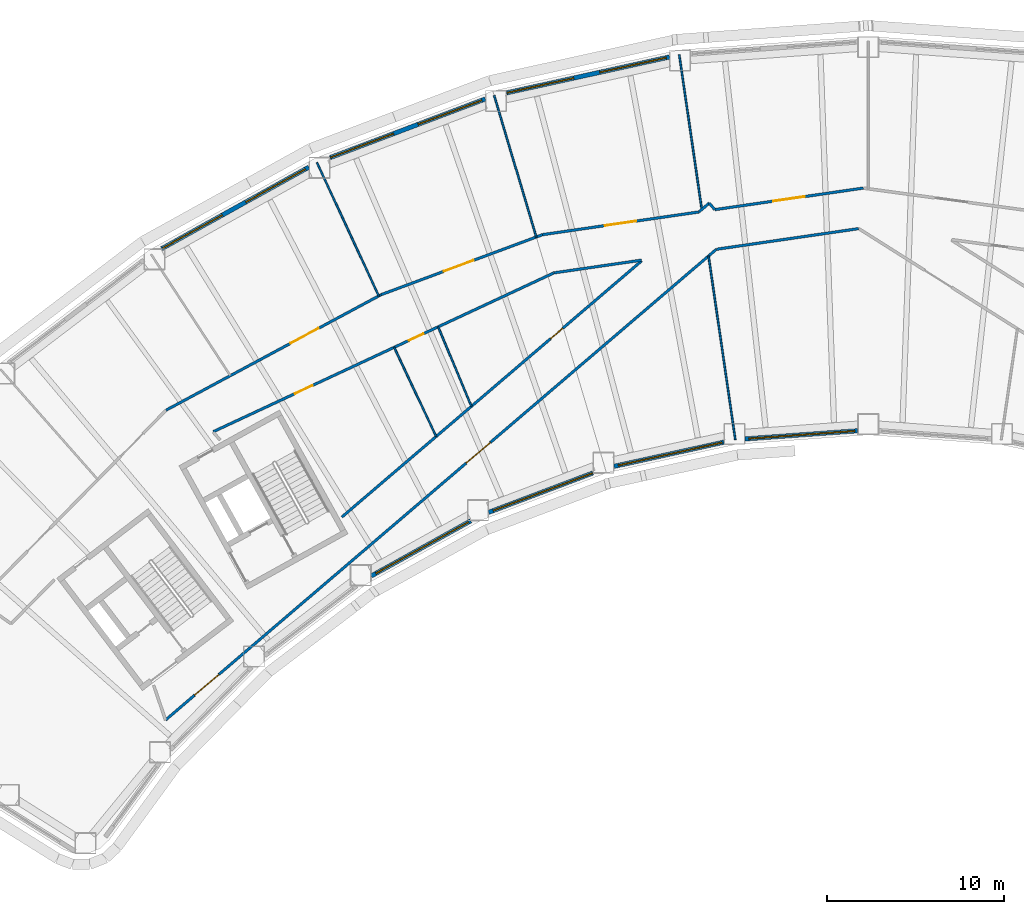
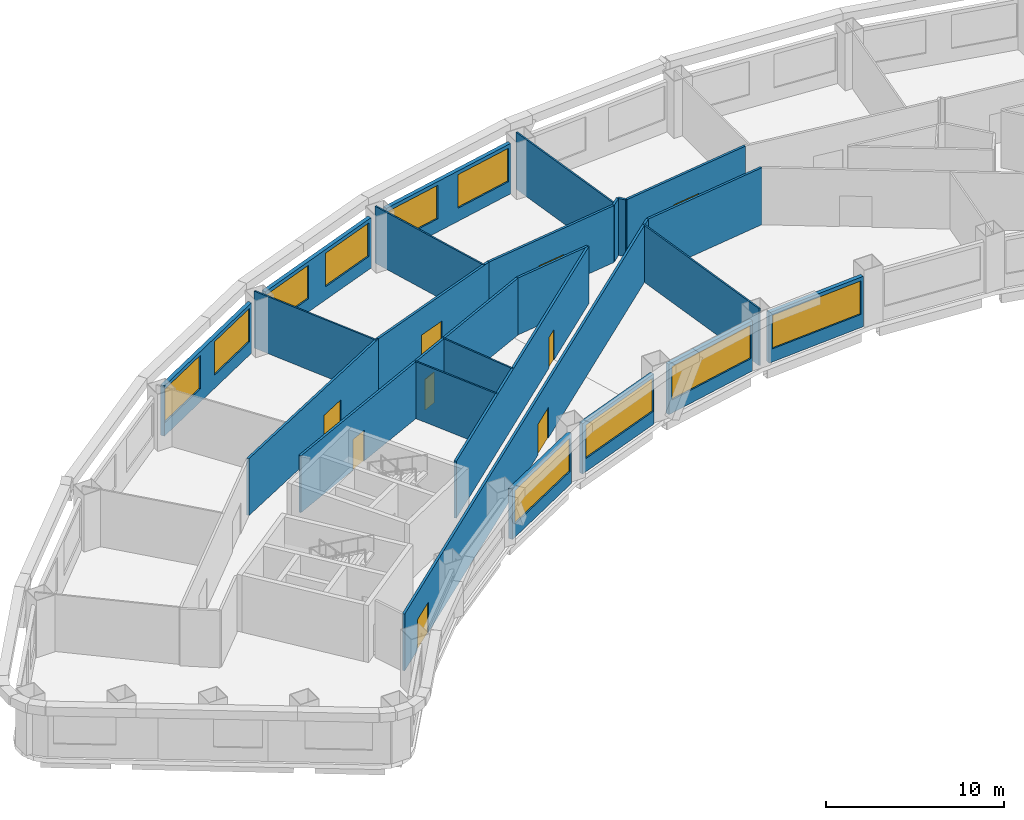
# One storey, part 4 of 10: 24 walls, 10 windows, 9 doors, 19 openings.
"""IFC4 building model written with IfcOpenShell, lengths in metres."""

from ifc_helpers import new_model, si_unit, direction, frame, frame_2d, origin, place, context, subcontext, project, spatial, rectangle, extrude, material, layer, layer_set, type_object, element, fill, save


model = new_model("IFC4")

# Units and contexts
model_context = context("Model", 3, precision=1e-05, world=origin(), true_north=direction((0.0, 1.0)))
body_context = subcontext(model_context, "Body", "Model", "MODEL_VIEW")
ifc_project = project(units=[si_unit("LENGTHUNIT", "METRE"), si_unit("AREAUNIT", "SQUARE_METRE"), si_unit("VOLUMEUNIT", "CUBIC_METRE"), si_unit("PLANEANGLEUNIT", "RADIAN"), si_unit("MASSUNIT", "GRAM", prefix="KILO")], contexts=[model_context])

# Site, building, storey
site_placement = place(None, origin())
site = spatial("IfcSite", under=ifc_project, at=site_placement, CompositionType="ELEMENT")
building_placement = place(site_placement, origin())
building = spatial("IfcBuilding", under=site, at=building_placement, Name="Tuul Gate Civic Tower", CompositionType="ELEMENT")
storey_placement = place(building_placement, frame((0.0, 0.0, 86.39990234375)))
storey = spatial("IfcBuildingStorey", under=building, at=storey_placement, Name="Level 19", CompositionType="ELEMENT", Elevation=86.39990234375)

# Wall, opening, door
ifc_material_1 = material(Name="Gypsum board partition")
ifc_layer_1 = layer(ifc_material_1, 0.14990234375)
ifc_layer_set_1 = layer_set([ifc_layer_1], Name="Gypsum board partition")
wall_type_1 = type_object("IfcWallType", Name="Corridor wall P150", PredefinedType="PARTITIONING", material=ifc_layer_set_1)
wall_1_placement = place(storey_placement, frame((-13.622314453125, 8.079833984375, 0.0), z_axis=(0.0, 0.0, 1.0), x_axis=(0.989618205953, 0.143721280421, 0.0)))
wall_1 = element("IfcWall", 1, at=wall_1_placement, inside=storey, type_object=wall_type_1, Name="p021", PredefinedType="PARTITIONING", context=body_context, shape_type="SweptSolid", body=[
    extrude(rectangle(XDim=8.93017578125, YDim=0.14990234375, at=frame_2d((4.465087890625, 0.0))), origin(), (0.0, 0.0, 1.0), 3.900146484375),
])
opening_1_placement = place(wall_1_placement, frame((3.56494140625, 0.0, 0.0)))
opening_1 = element("IfcOpeningElement", 2, at=opening_1_placement, cuts=wall_1, Name="Opening F-D07", PredefinedType="OPENING", context=body_context, shape_type="SweptSolid", body=[
    extrude(rectangle(XDim=1.800048828125, YDim=2.10009765625, at=frame_2d((0.89990234375, 1.050048828125))), frame((0.0, 0.0849609375, 0.0), z_axis=(0.0, -1.0, 0.0), x_axis=(1.0, 0.0, 0.0)), (0.0, 0.0, 1.0), 0.169921875),
])
ifc_material_2 = material(Name="Timber door leaf, double", Category="wood")
door_type_1 = type_object("IfcDoorType", Name="Door D18", OperationType="DOUBLE_DOOR_SINGLE_SWING", PredefinedType="DOOR", material=ifc_material_2)
door_1_placement = place(opening_1_placement, origin())
door_1 = element("IfcDoor", 3, at=door_1_placement, inside=storey, type_object=door_type_1, Name="Door F-D07", OperationType="DOUBLE_DOOR_SINGLE_SWING", OverallHeight=2.10009765625, OverallWidth=1.800048828125, PredefinedType="DOOR", context=body_context, shape_type="SweptSolid", body=[
    extrude(rectangle(XDim=1.800048828125, YDim=2.10009765625, at=frame_2d((0.89990234375, 1.050048828125))), frame((0.0, 0.02490234375, 0.0), z_axis=(0.0, -1.0, 0.0), x_axis=(1.0, 0.0, 0.0)), (0.0, 0.0, 1.0), 0.050048828125),
])
fill(opening_1, door_1)

wall_2_placement = place(storey_placement, frame((-3.867919921875, 9.49658203125, 0.0), z_axis=(0.0, 0.0, 1.0), x_axis=(0.98961974626, 0.143710673967, 0.0)))
wall_2 = element("IfcWall", 4, at=wall_2_placement, inside=storey, type_object=wall_type_1, Name="p022", PredefinedType="PARTITIONING", context=body_context, shape_type="SweptSolid", body=[
    extrude(rectangle(XDim=8.47900390625, YDim=0.14990234375, at=frame_2d((4.239501953125, 0.0))), origin(), (0.0, 0.0, 1.0), 3.900146484375),
])
opening_2_placement = place(wall_2_placement, frame((3.33935546875, 0.0, 0.0)))
opening_2 = element("IfcOpeningElement", 5, at=opening_2_placement, cuts=wall_2, Name="Opening F-D06", PredefinedType="OPENING", context=body_context, shape_type="SweptSolid", body=[
    extrude(rectangle(XDim=1.800048828125, YDim=2.10009765625, at=frame_2d((0.89990234375, 1.050048828125))), frame((0.0, 0.0849609375, 0.0), z_axis=(0.0, -1.0, 0.0), x_axis=(1.0, 0.0, 0.0)), (0.0, 0.0, 1.0), 0.169921875),
])
door_2_placement = place(opening_2_placement, origin())
door_2 = element("IfcDoor", 6, at=door_2_placement, inside=storey, type_object=door_type_1, Name="Door F-D06", OperationType="DOUBLE_DOOR_SINGLE_SWING", OverallHeight=2.10009765625, OverallWidth=1.800048828125, PredefinedType="DOOR", context=body_context, shape_type="SweptSolid", body=[
    extrude(rectangle(XDim=1.800048828125, YDim=2.10009765625, at=frame_2d((0.89990234375, 1.050048828125))), frame((0.0, 0.02490234375, 0.0), z_axis=(0.0, -1.0, 0.0), x_axis=(1.0, 0.0, 0.0)), (0.0, 0.0, 1.0), 0.050048828125),
])
fill(opening_2, door_2)

# Wall
wall_3_placement = place(storey_placement, frame((-4.19384765625, 9.86376953125, 0.0), z_axis=(0.0, 0.0, 1.0), x_axis=(0.649560302812, -0.760310076884, 0.0)))
element("IfcWall", 7, at=wall_3_placement, inside=storey, type_object=wall_type_1, Name="p023", PredefinedType="PARTITIONING", context=body_context, shape_type="SweptSolid", body=[
    extrude(rectangle(XDim=0.473876953125, YDim=0.14990234375, at=frame_2d((0.23681640625, 0.0))), origin(), (0.0, 0.0, 1.0), 3.900146484375),
])

# Wall, opening, door
wall_4_placement = place(storey_placement, frame((-24.98876953125, -7.906494140625, 0.0), z_axis=(0.0, 0.0, 1.0), x_axis=(0.760220451321, 0.649665194845, 0.0)))
wall_4 = element("IfcWall", 8, at=wall_4_placement, inside=storey, type_object=wall_type_1, Name="p024", PredefinedType="PARTITIONING", context=body_context, shape_type="SweptSolid", body=[
    extrude(rectangle(XDim=22.33056640625, YDim=0.14990234375, at=frame_2d((11.165283203125, 0.0))), origin(), (0.0, 0.0, 1.0), 3.900146484375),
])
opening_3_placement = place(wall_4_placement, frame((15.542236328125, 0.0, 0.0)))
opening_3 = element("IfcOpeningElement", 9, at=opening_3_placement, cuts=wall_4, Name="Opening F-D20", PredefinedType="OPENING", context=body_context, shape_type="SweptSolid", body=[
    extrude(rectangle(XDim=0.89990234375, YDim=2.10009765625, at=frame_2d((0.449951171875, 1.050048828125))), frame((0.0, 0.0849609375, 0.0), z_axis=(0.0, -1.0, 0.0), x_axis=(1.0, 0.0, 0.0)), (0.0, 0.0, 1.0), 0.169921875),
])
ifc_material_3 = material(Name="Timber door leaf", Category="wood")
door_type_2 = type_object("IfcDoorType", Name="Door D09", OperationType="NOTDEFINED", PredefinedType="DOOR", material=ifc_material_3)
door_3_placement = place(opening_3_placement, origin())
door_3 = element("IfcDoor", 10, at=door_3_placement, inside=storey, type_object=door_type_2, Name="Door F-D20", OperationType="SINGLE_SWING_RIGHT", OverallHeight=2.10009765625, OverallWidth=0.89990234375, PredefinedType="DOOR", context=body_context, shape_type="SweptSolid", body=[
    extrude(rectangle(XDim=0.89990234375, YDim=2.10009765625, at=frame_2d((0.449951171875, 1.050048828125))), frame((0.0, 0.02490234375, 0.0), z_axis=(0.0, -1.0, 0.0), x_axis=(1.0, 0.0, 0.0)), (0.0, 0.0, 1.0), 0.050048828125),
])
fill(opening_3, door_3)

# Wall
wall_5_placement = place(storey_placement, frame((-4.77490234375, 9.367919921875, 0.0), z_axis=(0.0, 0.0, 1.0), x_axis=(0.760271655503, 0.649605272329, 0.0)))
element("IfcWall", 11, at=wall_5_placement, inside=storey, type_object=wall_type_1, Name="p025", PredefinedType="PARTITIONING", context=body_context, shape_type="SweptSolid", body=[
    extrude(rectangle(XDim=0.763427734375, YDim=0.14990234375, at=frame_2d((0.3818359375, 0.0))), origin(), (0.0, 0.0, 1.0), 3.900146484375),
])

# Wall, opening, door
wall_6_placement = place(storey_placement, frame((-22.761962890625, 4.682861328125, 0.0), z_axis=(0.0, 0.0, 1.0), x_axis=(0.937346082051, 0.348399659104, 0.0)))
wall_6 = element("IfcWall", 12, at=wall_6_placement, inside=storey, type_object=wall_type_1, Name="p027", PredefinedType="PARTITIONING", context=body_context, shape_type="SweptSolid", body=[
    extrude(rectangle(XDim=9.74951171875, YDim=0.14990234375, at=frame_2d((4.874755859375, 0.0))), origin(), (0.0, 0.0, 1.0), 3.900146484375),
])
opening_4_placement = place(wall_6_placement, frame((3.784423828125, 0.0, 0.0)))
opening_4 = element("IfcOpeningElement", 13, at=opening_4_placement, cuts=wall_6, Name="Opening F-D08", PredefinedType="OPENING", context=body_context, shape_type="SweptSolid", body=[
    extrude(rectangle(XDim=1.800048828125, YDim=2.10009765625, at=frame_2d((0.89990234375, 1.050048828125))), frame((0.0, 0.0849609375, 0.0), z_axis=(0.0, -1.0, 0.0), x_axis=(1.0, 0.0, 0.0)), (0.0, 0.0, 1.0), 0.169921875),
])
door_4_placement = place(opening_4_placement, origin())
door_4 = element("IfcDoor", 14, at=door_4_placement, inside=storey, type_object=door_type_1, Name="Door F-D08", OperationType="DOUBLE_DOOR_SINGLE_SWING", OverallHeight=2.10009765625, OverallWidth=1.800048828125, PredefinedType="DOOR", context=body_context, shape_type="SweptSolid", body=[
    extrude(rectangle(XDim=1.800048828125, YDim=2.10009765625, at=frame_2d((0.89990234375, 1.050048828125))), frame((0.0, 0.02490234375, 0.0), z_axis=(0.0, -1.0, 0.0), x_axis=(1.0, 0.0, 0.0)), (0.0, 0.0, 1.0), 0.050048828125),
])
fill(opening_4, door_4)

wall_7_placement = place(storey_placement, frame((-34.932861328125, -1.854248046875, 0.0), z_axis=(0.0, 0.0, 1.0), x_axis=(0.880970008897, 0.473172107613, 0.0)))
wall_7 = element("IfcWall", 15, at=wall_7_placement, inside=storey, type_object=wall_type_1, Name="p029", PredefinedType="PARTITIONING", context=body_context, shape_type="SweptSolid", body=[
    extrude(rectangle(XDim=13.81396484375, YDim=0.14990234375, at=frame_2d((6.906982421875, 0.0))), origin(), (0.0, 0.0, 1.0), 3.900146484375),
])
opening_5_placement = place(wall_7_placement, frame((7.99609375, 0.0, 0.0)))
opening_5 = element("IfcOpeningElement", 16, at=opening_5_placement, cuts=wall_7, Name="Opening F-D09", PredefinedType="OPENING", context=body_context, shape_type="SweptSolid", body=[
    extrude(rectangle(XDim=1.800048828125, YDim=2.10009765625, at=frame_2d((0.89990234375, 1.050048828125))), frame((0.0, 0.0849609375, 0.0), z_axis=(0.0, -1.0, 0.0), x_axis=(1.0, 0.0, 0.0)), (0.0, 0.0, 1.0), 0.169921875),
])
door_5_placement = place(opening_5_placement, origin())
door_5 = element("IfcDoor", 17, at=door_5_placement, inside=storey, type_object=door_type_1, Name="Door F-D09", OperationType="DOUBLE_DOOR_SINGLE_SWING", OverallHeight=2.10009765625, OverallWidth=1.800048828125, PredefinedType="DOOR", context=body_context, shape_type="SweptSolid", body=[
    extrude(rectangle(XDim=1.800048828125, YDim=2.10009765625, at=frame_2d((0.89990234375, 1.050048828125))), frame((0.0, 0.02490234375, 0.0), z_axis=(0.0, -1.0, 0.0), x_axis=(1.0, 0.0, 0.0)), (0.0, 0.0, 1.0), 0.050048828125),
])
fill(opening_5, door_5)

# Wall, openings, doors
wall_8_placement = place(storey_placement, frame((-34.961181640625, -19.38818359375, 0.0), z_axis=(0.0, 0.0, 1.0), x_axis=(0.760222517419, 0.649662777146, 0.0)))
wall_8 = element("IfcWall", 18, at=wall_8_placement, inside=storey, type_object=wall_type_1, Name="p042", PredefinedType="PARTITIONING", context=body_context, shape_type="SweptSolid", body=[
    extrude(rectangle(XDim=41.0, YDim=0.14990234375, at=frame_2d((20.5, 0.0))), origin(), (0.0, 0.0, 1.0), 3.900146484375),
])
opening_6_placement = place(wall_8_placement, frame((22.376220703125, 0.0, 0.0)))
opening_6 = element("IfcOpeningElement", 19, at=opening_6_placement, cuts=wall_8, Name="Opening F-D15", PredefinedType="OPENING", context=body_context, shape_type="SweptSolid", body=[
    extrude(rectangle(XDim=1.800048828125, YDim=2.10009765625, at=frame_2d((0.89990234375, 1.050048828125))), frame((0.0, 0.0849609375, 0.0), z_axis=(0.0, -1.0, 0.0), x_axis=(1.0, 0.0, 0.0)), (0.0, 0.0, 1.0), 0.169921875),
])
opening_7_placement = place(wall_8_placement, frame((2.164306640625, 0.0, 0.0)))
opening_7 = element("IfcOpeningElement", 20, at=opening_7_placement, cuts=wall_8, Name="Opening F-D16", PredefinedType="OPENING", context=body_context, shape_type="SweptSolid", body=[
    extrude(rectangle(XDim=1.800048828125, YDim=2.10009765625, at=frame_2d((0.89990234375, 1.050048828125))), frame((0.0, 0.0849609375, 0.0), z_axis=(0.0, -1.0, 0.0), x_axis=(1.0, 0.0, 0.0)), (0.0, 0.0, 1.0), 0.169921875),
])
door_6_placement = place(opening_6_placement, frame((1.800048828125, 0.0, 0.0), z_axis=(0.0, 0.0, 1.0), x_axis=(-1.0, 0.0, 0.0)))
door_6 = element("IfcDoor", 21, at=door_6_placement, inside=storey, type_object=door_type_1, Name="Door F-D15", OperationType="DOUBLE_DOOR_SINGLE_SWING", OverallHeight=2.10009765625, OverallWidth=1.800048828125, PredefinedType="DOOR", context=body_context, shape_type="SweptSolid", body=[
    extrude(rectangle(XDim=1.800048828125, YDim=2.10009765625, at=frame_2d((0.900146484375, 1.050048828125))), frame((0.0, 0.02490234375, 0.0), z_axis=(0.0, -1.0, 0.0), x_axis=(1.0, 0.0, 0.0)), (0.0, 0.0, 1.0), 0.050048828125),
])
fill(opening_6, door_6)
door_7_placement = place(opening_7_placement, frame((1.800048828125, 0.0, 0.0), z_axis=(0.0, 0.0, 1.0), x_axis=(-1.0, 0.0, 0.0)))
door_7 = element("IfcDoor", 22, at=door_7_placement, inside=storey, type_object=door_type_1, Name="Door F-D16", OperationType="DOUBLE_DOOR_SINGLE_SWING", OverallHeight=2.10009765625, OverallWidth=1.800048828125, PredefinedType="DOOR", context=body_context, shape_type="SweptSolid", body=[
    extrude(rectangle(XDim=1.800048828125, YDim=2.10009765625, at=frame_2d((0.900146484375, 1.050048828125))), frame((0.0, 0.02490234375, 0.0), z_axis=(0.0, -1.0, 0.0), x_axis=(1.0, 0.0, 0.0)), (0.0, 0.0, 1.0), 0.050048828125),
])
fill(opening_7, door_7)

# Walls
wall_9_placement = place(storey_placement, frame((-12.9833984375, 5.916259765625, 0.0), z_axis=(0.0, 0.0, 1.0), x_axis=(0.98961420337, 0.143748838213, 0.0)))
element("IfcWall", 23, at=wall_9_placement, inside=storey, type_object=wall_type_1, Name="p043", PredefinedType="PARTITIONING", context=body_context, shape_type="SweptSolid", body=[
    extrude(rectangle(XDim=5.0068359375, YDim=0.14990234375, at=frame_2d((2.50341796875, 0.0))), origin(), (0.0, 0.0, 1.0), 3.900146484375),
])
wall_10_placement = place(storey_placement, frame((-3.78173828125, 7.252685546875, 0.0), z_axis=(0.0, 0.0, 1.0), x_axis=(0.989615748176, 0.14373820286, 0.0)))
element("IfcWall", 24, at=wall_10_placement, inside=storey, type_object=wall_type_1, Name="p044", PredefinedType="PARTITIONING", context=body_context, shape_type="SweptSolid", body=[
    extrude(rectangle(XDim=8.12744140625, YDim=0.14990234375, at=frame_2d((4.063720703125, 0.0))), origin(), (0.0, 0.0, 1.0), 3.900146484375),
])

# Wall, openings, doors
wall_11_placement = place(storey_placement, frame((-32.259521484375, -3.0703125, 0.0), z_axis=(0.0, 0.0, 1.0), x_axis=(0.906327999579, 0.422574913096, 0.0)))
wall_11 = element("IfcWall", 25, at=wall_11_placement, inside=storey, type_object=wall_type_1, Name="p061", PredefinedType="PARTITIONING", context=body_context, shape_type="SweptSolid", body=[
    extrude(rectangle(XDim=21.26220703125, YDim=0.14990234375, at=frame_2d((10.631103515625, 0.0))), origin(), (0.0, 0.0, 1.0), 3.900146484375),
])
opening_8_placement = place(wall_11_placement, frame((12.2158203125, 0.0, 0.0)))
opening_8 = element("IfcOpeningElement", 26, at=opening_8_placement, cuts=wall_11, Name="Opening F-D21", PredefinedType="OPENING", context=body_context, shape_type="SweptSolid", body=[
    extrude(rectangle(XDim=0.89990234375, YDim=2.10009765625, at=frame_2d((0.449951171875, 1.050048828125))), frame((0.0, 0.0849609375, 0.0), z_axis=(0.0, -1.0, 0.0), x_axis=(1.0, 0.0, 0.0)), (0.0, 0.0, 1.0), 0.169921875),
])
opening_9_placement = place(wall_11_placement, frame((5.096435546875, 0.0, 0.0)))
opening_9 = element("IfcOpeningElement", 27, at=opening_9_placement, cuts=wall_11, Name="Opening F-D22", PredefinedType="OPENING", context=body_context, shape_type="SweptSolid", body=[
    extrude(rectangle(XDim=1.10009765625, YDim=2.10009765625, at=frame_2d((0.550048828125, 1.050048828125))), frame((0.0, 0.0849609375, 0.0), z_axis=(0.0, -1.0, 0.0), x_axis=(1.0, 0.0, 0.0)), (0.0, 0.0, 1.0), 0.169921875),
])
door_8_placement = place(opening_8_placement, frame((0.89990234375, 0.0, 0.0), z_axis=(0.0, 0.0, 1.0), x_axis=(-1.0, 0.0, 0.0)))
door_8 = element("IfcDoor", 28, at=door_8_placement, inside=storey, type_object=door_type_2, Name="Door F-D21", OperationType="SINGLE_SWING_LEFT", OverallHeight=2.10009765625, OverallWidth=0.89990234375, PredefinedType="DOOR", context=body_context, shape_type="SweptSolid", body=[
    extrude(rectangle(XDim=0.89990234375, YDim=2.10009765625, at=frame_2d((0.449951171875, 1.050048828125))), frame((0.0, 0.02490234375, 0.0), z_axis=(0.0, -1.0, 0.0), x_axis=(1.0, 0.0, 0.0)), (0.0, 0.0, 1.0), 0.050048828125),
])
fill(opening_8, door_8)
ifc_material_4 = material(Name="Timber door leaf", Category="wood")
door_type_3 = type_object("IfcDoorType", Name="Door D11", OperationType="NOTDEFINED", PredefinedType="DOOR", material=ifc_material_4)
door_9_placement = place(opening_9_placement, frame((1.10009765625, 0.0, 0.0), z_axis=(0.0, 0.0, 1.0), x_axis=(-1.0, 0.0, 0.0)))
door_9 = element("IfcDoor", 29, at=door_9_placement, inside=storey, type_object=door_type_3, Name="Door F-D22", OperationType="SINGLE_SWING_LEFT", OverallHeight=2.10009765625, OverallWidth=1.10009765625, PredefinedType="DOOR", context=body_context, shape_type="SweptSolid", body=[
    extrude(rectangle(XDim=1.10009765625, YDim=2.10009765625, at=frame_2d((0.550048828125, 1.050048828125))), frame((0.0, 0.02490234375, 0.0), z_axis=(0.0, -1.0, 0.0), x_axis=(1.0, 0.0, 0.0)), (0.0, 0.0, 1.0), 0.050048828125),
])
fill(opening_9, door_9)

# Wall, openings, windows
ifc_material_5 = material(Name="Precast concrete C40/50", Category="concrete")
ifc_layer_2 = layer(ifc_material_5, 0.25)
ifc_layer_set_2 = layer_set([ifc_layer_2], Name="Precast concrete C40/50")
wall_type_2 = type_object("IfcWallType", Name="External wall", PredefinedType="STANDARD", material=ifc_layer_set_2)
wall_12_placement = place(storey_placement, frame((-6.44091796875, 18.135986328125, 0.0), z_axis=(0.0, 0.0, 1.0), x_axis=(-0.976566757171, -0.215214703934, 0.0)))
wall_12 = element("IfcWall", 30, at=wall_12_placement, inside=storey, type_object=wall_type_2, Name="External wall", PredefinedType="STANDARD", context=body_context, shape_type="SweptSolid", body=[
    extrude(rectangle(XDim=9.448486328125, YDim=0.25, at=frame_2d((4.72412109375, 0.0))), origin(), (0.0, 0.0, 1.0), 3.4501953125),
])
opening_10_placement = place(wall_12_placement, frame((0.185302734375, 0.0, 0.89990234375)))
opening_10 = element("IfcOpeningElement", 31, at=opening_10_placement, cuts=wall_12, Name="Opening W22", PredefinedType="OPENING", context=body_context, shape_type="SweptSolid", body=[
    extrude(rectangle(XDim=3.85009765625, YDim=2.300048828125, at=frame_2d((1.925048828125, 1.14990234375))), frame((0.0, 0.135009765625, 0.0), z_axis=(0.0, -1.0, 0.0), x_axis=(1.0, 0.0, 0.0)), (0.0, 0.0, 1.0), 0.27001953125),
])
opening_11_placement = place(wall_12_placement, frame((5.556640625, 0.0, 0.89990234375)))
opening_11 = element("IfcOpeningElement", 32, at=opening_11_placement, cuts=wall_12, Name="Opening W22", PredefinedType="OPENING", context=body_context, shape_type="SweptSolid", body=[
    extrude(rectangle(XDim=3.85009765625, YDim=2.300048828125, at=frame_2d((1.925048828125, 1.14990234375))), frame((0.0, 0.135009765625, 0.0), z_axis=(0.0, -1.0, 0.0), x_axis=(1.0, 0.0, 0.0)), (0.0, 0.0, 1.0), 0.27001953125),
])
ifc_material_6 = material(Name="Glass", Category="glass")
window_type_1 = type_object("IfcWindowType", Name="Window W22 3850 x 2300", PartitioningType="SINGLE_PANEL", PredefinedType="WINDOW", material=ifc_material_6)
window_1_placement = place(opening_10_placement, origin())
window_1 = element("IfcWindow", 33, at=window_1_placement, inside=storey, type_object=window_type_1, Name="Window", OverallHeight=2.300048828125, OverallWidth=3.85009765625, PartitioningType="SINGLE_PANEL", PredefinedType="WINDOW", context=body_context, shape_type="SweptSolid", body=[
    extrude(rectangle(XDim=3.85009765625, YDim=2.300048828125, at=frame_2d((1.925048828125, 1.14990234375))), frame((0.0, 0.030029296875, 0.0), z_axis=(0.0, -1.0, 0.0), x_axis=(1.0, 0.0, 0.0)), (0.0, 0.0, 1.0), 0.06005859375),
])
fill(opening_10, window_1)
window_2_placement = place(opening_11_placement, origin())
window_2 = element("IfcWindow", 34, at=window_2_placement, inside=storey, type_object=window_type_1, Name="Window", OverallHeight=2.300048828125, OverallWidth=3.85009765625, PartitioningType="SINGLE_PANEL", PredefinedType="WINDOW", context=body_context, shape_type="SweptSolid", body=[
    extrude(rectangle(XDim=3.85009765625, YDim=2.300048828125, at=frame_2d((1.925048828125, 1.14990234375))), frame((0.0, 0.030029296875, 0.0), z_axis=(0.0, -1.0, 0.0), x_axis=(1.0, 0.0, 0.0)), (0.0, 0.0, 1.0), 0.06005859375),
])
fill(opening_11, window_2)

wall_13_placement = place(storey_placement, frame((-16.867919921875, 15.75830078125, 0.0), z_axis=(0.0, 0.0, 1.0), x_axis=(-0.935342969648, -0.353742178897, 0.0)))
wall_13 = element("IfcWall", 35, at=wall_13_placement, inside=storey, type_object=wall_type_2, Name="External wall", PredefinedType="STANDARD", context=body_context, shape_type="SweptSolid", body=[
    extrude(rectangle(XDim=9.39453125, YDim=0.25, at=frame_2d((4.697265625, 0.0))), origin(), (0.0, 0.0, 1.0), 3.4501953125),
])
opening_12_placement = place(wall_13_placement, frame((0.209716796875, 0.0, 0.89990234375)))
opening_12 = element("IfcOpeningElement", 36, at=opening_12_placement, cuts=wall_13, Name="Opening W22", PredefinedType="OPENING", context=body_context, shape_type="SweptSolid", body=[
    extrude(rectangle(XDim=3.85009765625, YDim=2.300048828125, at=frame_2d((1.925048828125, 1.14990234375))), frame((0.0, 0.135009765625, 0.0), z_axis=(0.0, -1.0, 0.0), x_axis=(1.0, 0.0, 0.0)), (0.0, 0.0, 1.0), 0.27001953125),
])
opening_13_placement = place(wall_13_placement, frame((5.549072265625, 0.0, 0.89990234375)))
opening_13 = element("IfcOpeningElement", 37, at=opening_13_placement, cuts=wall_13, Name="Opening W100", PredefinedType="OPENING", context=body_context, shape_type="SweptSolid", body=[
    extrude(rectangle(XDim=3.800048828125, YDim=2.300048828125, at=frame_2d((1.89990234375, 1.14990234375))), frame((0.0, 0.135009765625, 0.0), z_axis=(0.0, -1.0, 0.0), x_axis=(1.0, 0.0, 0.0)), (0.0, 0.0, 1.0), 0.27001953125),
])
ifc_material_7 = material(Name="Glass", Category="glass")
window_type_2 = type_object("IfcWindowType", Name="Window W100 3800 x 2300", PartitioningType="SINGLE_PANEL", PredefinedType="WINDOW", material=ifc_material_7)
window_3_placement = place(opening_13_placement, origin())
window_3 = element("IfcWindow", 38, at=window_3_placement, inside=storey, type_object=window_type_2, Name="Window", OverallHeight=2.300048828125, OverallWidth=3.800048828125, PartitioningType="SINGLE_PANEL", PredefinedType="WINDOW", context=body_context, shape_type="SweptSolid", body=[
    extrude(rectangle(XDim=3.800048828125, YDim=2.300048828125, at=frame_2d((1.89990234375, 1.14990234375))), frame((0.0, 0.030029296875, 0.0), z_axis=(0.0, -1.0, 0.0), x_axis=(1.0, 0.0, 0.0)), (0.0, 0.0, 1.0), 0.06005859375),
])
fill(opening_13, window_3)
window_4_placement = place(opening_12_placement, origin())
window_4 = element("IfcWindow", 39, at=window_4_placement, inside=storey, type_object=window_type_1, Name="Window", OverallHeight=2.300048828125, OverallWidth=3.85009765625, PartitioningType="SINGLE_PANEL", PredefinedType="WINDOW", context=body_context, shape_type="SweptSolid", body=[
    extrude(rectangle(XDim=3.85009765625, YDim=2.300048828125, at=frame_2d((1.925048828125, 1.14990234375))), frame((0.0, 0.030029296875, 0.0), z_axis=(0.0, -1.0, 0.0), x_axis=(1.0, 0.0, 0.0)), (0.0, 0.0, 1.0), 0.06005859375),
])
fill(opening_12, window_4)

wall_14_placement = place(storey_placement, frame((-26.85498046875, 11.89990234375, 0.0), z_axis=(0.0, 0.0, 1.0), x_axis=(-0.874624944876, -0.484800170999, 0.0)))
wall_14 = element("IfcWall", 40, at=wall_14_placement, inside=storey, type_object=wall_type_2, Name="External wall", PredefinedType="STANDARD", context=body_context, shape_type="SweptSolid", body=[
    extrude(rectangle(XDim=9.521484375, YDim=0.25, at=frame_2d((4.7607421875, 0.0))), origin(), (0.0, 0.0, 1.0), 3.4501953125),
])
opening_14_placement = place(wall_14_placement, frame((0.22265625, 0.0, 0.89990234375)))
opening_14 = element("IfcOpeningElement", 41, at=opening_14_placement, cuts=wall_14, Name="Opening W22", PredefinedType="OPENING", context=body_context, shape_type="SweptSolid", body=[
    extrude(rectangle(XDim=3.85009765625, YDim=2.300048828125, at=frame_2d((1.925048828125, 1.14990234375))), frame((0.0, 0.135009765625, 0.0), z_axis=(0.0, -1.0, 0.0), x_axis=(1.0, 0.0, 0.0)), (0.0, 0.0, 1.0), 0.27001953125),
])
opening_15_placement = place(wall_14_placement, frame((5.593994140625, 0.0, 0.89990234375)))
opening_15 = element("IfcOpeningElement", 42, at=opening_15_placement, cuts=wall_14, Name="Opening W22", PredefinedType="OPENING", context=body_context, shape_type="SweptSolid", body=[
    extrude(rectangle(XDim=3.85009765625, YDim=2.300048828125, at=frame_2d((1.925048828125, 1.14990234375))), frame((0.0, 0.135009765625, 0.0), z_axis=(0.0, -1.0, 0.0), x_axis=(1.0, 0.0, 0.0)), (0.0, 0.0, 1.0), 0.27001953125),
])
window_5_placement = place(opening_14_placement, origin())
window_5 = element("IfcWindow", 43, at=window_5_placement, inside=storey, type_object=window_type_1, Name="Window", OverallHeight=2.300048828125, OverallWidth=3.85009765625, PartitioningType="SINGLE_PANEL", PredefinedType="WINDOW", context=body_context, shape_type="SweptSolid", body=[
    extrude(rectangle(XDim=3.85009765625, YDim=2.300048828125, at=frame_2d((1.925048828125, 1.14990234375))), frame((0.0, 0.030029296875, 0.0), z_axis=(0.0, -1.0, 0.0), x_axis=(1.0, 0.0, 0.0)), (0.0, 0.0, 1.0), 0.06005859375),
])
fill(opening_14, window_5)
window_6_placement = place(opening_15_placement, origin())
window_6 = element("IfcWindow", 44, at=window_6_placement, inside=storey, type_object=window_type_1, Name="Window", OverallHeight=2.300048828125, OverallWidth=3.85009765625, PartitioningType="SINGLE_PANEL", PredefinedType="WINDOW", context=body_context, shape_type="SweptSolid", body=[
    extrude(rectangle(XDim=3.85009765625, YDim=2.300048828125, at=frame_2d((1.925048828125, 1.14990234375))), frame((0.0, 0.030029296875, 0.0), z_axis=(0.0, -1.0, 0.0), x_axis=(1.0, 0.0, 0.0)), (0.0, 0.0, 1.0), 0.06005859375),
])
fill(opening_15, window_6)

# Wall, opening, window
wall_15_placement = place(storey_placement, frame((-23.318115234375, -11.23583984375, 0.0), z_axis=(0.0, 0.0, 1.0), x_axis=(0.874622293174, 0.484804954888, 0.0)))
wall_15 = element("IfcWall", 45, at=wall_15_placement, inside=storey, type_object=wall_type_2, Name="External wall", PredefinedType="STANDARD", context=body_context, shape_type="SweptSolid", body=[
    extrude(rectangle(XDim=6.433349609375, YDim=0.25, at=frame_2d((3.216796875, 0.0))), origin(), (0.0, 0.0, 1.0), 3.4501953125),
])
opening_16_placement = place(wall_15_placement, frame((0.289306640625, 0.0, 0.89990234375)))
opening_16 = element("IfcOpeningElement", 46, at=opening_16_placement, cuts=wall_15, Name="Opening W26", PredefinedType="OPENING", context=body_context, shape_type="SweptSolid", body=[
    extrude(rectangle(XDim=6.0, YDim=2.300048828125, at=frame_2d((3.0, 1.14990234375))), frame((0.0, 0.135009765625, 0.0), z_axis=(0.0, -1.0, 0.0), x_axis=(1.0, 0.0, 0.0)), (0.0, 0.0, 1.0), 0.27001953125),
])
ifc_material_8 = material(Name="Glass", Category="glass")
window_type_3 = type_object("IfcWindowType", Name="Window W26 6000 x 2300", PartitioningType="SINGLE_PANEL", PredefinedType="WINDOW", material=ifc_material_8)
window_7_placement = place(opening_16_placement, origin())
window_7 = element("IfcWindow", 47, at=window_7_placement, inside=storey, type_object=window_type_3, Name="Window", OverallHeight=2.300048828125, OverallWidth=6.0, PartitioningType="SINGLE_PANEL", PredefinedType="WINDOW", context=body_context, shape_type="SweptSolid", body=[
    extrude(rectangle(XDim=6.0, YDim=2.300048828125, at=frame_2d((3.0, 1.14990234375))), frame((0.0, 0.030029296875, 0.0), z_axis=(0.0, -1.0, 0.0), x_axis=(1.0, 0.0, 0.0)), (0.0, 0.0, 1.0), 0.06005859375),
])
fill(opening_16, window_7)

wall_16_placement = place(storey_placement, frame((-16.677978515625, -7.636962890625, 0.0), z_axis=(0.0, 0.0, 1.0), x_axis=(0.935355477431, 0.353709104829, 0.0)))
wall_16 = element("IfcWall", 48, at=wall_16_placement, inside=storey, type_object=wall_type_2, Name="External wall", PredefinedType="STANDARD", context=body_context, shape_type="SweptSolid", body=[
    extrude(rectangle(XDim=6.30859375, YDim=0.25, at=frame_2d((3.154296875, 0.0))), origin(), (0.0, 0.0, 1.0), 3.4501953125),
])
opening_17_placement = place(wall_16_placement, frame((0.276611328125, 0.0, 0.89990234375)))
opening_17 = element("IfcOpeningElement", 49, at=opening_17_placement, cuts=wall_16, Name="Opening W26", PredefinedType="OPENING", context=body_context, shape_type="SweptSolid", body=[
    extrude(rectangle(XDim=6.0, YDim=2.300048828125, at=frame_2d((3.0, 1.14990234375))), frame((0.0, 0.135009765625, 0.0), z_axis=(0.0, -1.0, 0.0), x_axis=(1.0, 0.0, 0.0)), (0.0, 0.0, 1.0), 0.27001953125),
])
window_8_placement = place(opening_17_placement, origin())
window_8 = element("IfcWindow", 50, at=window_8_placement, inside=storey, type_object=window_type_3, Name="Window", OverallHeight=2.300048828125, OverallWidth=6.0, PartitioningType="SINGLE_PANEL", PredefinedType="WINDOW", context=body_context, shape_type="SweptSolid", body=[
    extrude(rectangle(XDim=6.0, YDim=2.300048828125, at=frame_2d((3.0, 1.14990234375))), frame((0.0, 0.030029296875, 0.0), z_axis=(0.0, -1.0, 0.0), x_axis=(1.0, 0.0, 0.0)), (0.0, 0.0, 1.0), 0.06005859375),
])
fill(opening_17, window_8)

wall_17_placement = place(storey_placement, frame((-9.576904296875, -5.031982421875, 0.0), z_axis=(0.0, 0.0, 1.0), x_axis=(0.976560321841, 0.215243903065, 0.0)))
wall_17 = element("IfcWall", 51, at=wall_17_placement, inside=storey, type_object=wall_type_2, Name="External wall", PredefinedType="STANDARD", context=body_context, shape_type="SweptSolid", body=[
    extrude(rectangle(XDim=6.362060546875, YDim=0.25, at=frame_2d((3.18115234375, 0.0))), origin(), (0.0, 0.0, 1.0), 3.4501953125),
])
opening_18_placement = place(wall_17_placement, frame((0.25244140625, 0.0, 0.89990234375)))
opening_18 = element("IfcOpeningElement", 52, at=opening_18_placement, cuts=wall_17, Name="Opening W26", PredefinedType="OPENING", context=body_context, shape_type="SweptSolid", body=[
    extrude(rectangle(XDim=6.0, YDim=2.300048828125, at=frame_2d((3.0, 1.14990234375))), frame((0.0, 0.135009765625, 0.0), z_axis=(0.0, -1.0, 0.0), x_axis=(1.0, 0.0, 0.0)), (0.0, 0.0, 1.0), 0.27001953125),
])
window_9_placement = place(opening_18_placement, origin())
window_9 = element("IfcWindow", 53, at=window_9_placement, inside=storey, type_object=window_type_3, Name="Window", OverallHeight=2.300048828125, OverallWidth=6.0, PartitioningType="SINGLE_PANEL", PredefinedType="WINDOW", context=body_context, shape_type="SweptSolid", body=[
    extrude(rectangle(XDim=6.0, YDim=2.300048828125, at=frame_2d((3.0, 1.14990234375))), frame((0.0, 0.030029296875, 0.0), z_axis=(0.0, -1.0, 0.0), x_axis=(1.0, 0.0, 0.0)), (0.0, 0.0, 1.0), 0.06005859375),
])
fill(opening_18, window_9)

wall_18_placement = place(storey_placement, frame((-2.1640625, -3.47998046875, 0.0), z_axis=(0.0, 0.0, 1.0), x_axis=(0.997382879348, 0.072300705277, 0.0)))
wall_18 = element("IfcWall", 54, at=wall_18_placement, inside=storey, type_object=wall_type_2, Name="External wall", PredefinedType="STANDARD", context=body_context, shape_type="SweptSolid", body=[
    extrude(rectangle(XDim=6.388671875, YDim=0.25, at=frame_2d((3.1943359375, 0.0))), origin(), (0.0, 0.0, 1.0), 3.4501953125),
])
opening_19_placement = place(wall_18_placement, frame((0.2177734375, 0.0, 0.89990234375)))
opening_19 = element("IfcOpeningElement", 55, at=opening_19_placement, cuts=wall_18, Name="Opening W26", PredefinedType="OPENING", context=body_context, shape_type="SweptSolid", body=[
    extrude(rectangle(XDim=6.0, YDim=2.300048828125, at=frame_2d((3.0, 1.14990234375))), frame((0.0, 0.135009765625, 0.0), z_axis=(0.0, -1.0, 0.0), x_axis=(1.0, 0.0, 0.0)), (0.0, 0.0, 1.0), 0.27001953125),
])
window_10_placement = place(opening_19_placement, origin())
window_10 = element("IfcWindow", 56, at=window_10_placement, inside=storey, type_object=window_type_3, Name="Window", OverallHeight=2.300048828125, OverallWidth=6.0, PartitioningType="SINGLE_PANEL", PredefinedType="WINDOW", context=body_context, shape_type="SweptSolid", body=[
    extrude(rectangle(XDim=6.0, YDim=2.300048828125, at=frame_2d((3.0, 1.14990234375))), frame((0.0, 0.030029296875, 0.0), z_axis=(0.0, -1.0, 0.0), x_axis=(1.0, 0.0, 0.0)), (0.0, 0.0, 1.0), 0.06005859375),
])
fill(opening_19, window_10)

# Walls
ifc_material_9 = material(Name="Gypsum board partition")
ifc_layer_3 = layer(ifc_material_9, 0.10009765625)
ifc_layer_set_3 = layer_set([ifc_layer_3], Name="Gypsum board partition")
wall_type_3 = type_object("IfcWallType", Name="Partition P100", PredefinedType="PARTITIONING", material=ifc_layer_set_3)
wall_19_placement = place(storey_placement, frame((-5.888916015625, 18.262939453125, 0.0), z_axis=(0.0, 0.0, 1.0), x_axis=(0.144116674393, -0.989560702616, 0.0)))
element("IfcWall", 57, at=wall_19_placement, inside=storey, type_object=wall_type_3, Name="p019", PredefinedType="PARTITIONING", context=body_context, shape_type="SweptSolid", body=[
    extrude(rectangle(XDim=8.849609375, YDim=0.10009765625, at=frame_2d((4.4248046875, 0.0))), origin(), (0.0, 0.0, 1.0), 3.900146484375),
])
wall_20_placement = place(storey_placement, frame((-4.230224609375, 6.87353515625, 0.0), z_axis=(0.0, 0.0, 1.0), x_axis=(0.144117309922, -0.989560610059, 0.0)))
element("IfcWall", 58, at=wall_20_placement, inside=storey, type_object=wall_type_3, Name="p020", PredefinedType="PARTITIONING", context=body_context, shape_type="SweptSolid", body=[
    extrude(rectangle(XDim=10.508056640625, YDim=0.10009765625, at=frame_2d((5.25390625, 0.0))), origin(), (0.0, 0.0, 1.0), 3.900146484375),
])
wall_21_placement = place(storey_placement, frame((-16.36279296875, 15.95458984375, 0.0), z_axis=(0.0, 0.0, 1.0), x_axis=(0.285210451429, -0.958464917666, 0.0)))
element("IfcWall", 59, at=wall_21_placement, inside=storey, type_object=wall_type_3, Name="p026", PredefinedType="PARTITIONING", context=body_context, shape_type="SweptSolid", body=[
    extrude(rectangle(XDim=8.3544921875, YDim=0.10009765625, at=frame_2d((4.17724609375, 0.0))), origin(), (0.0, 0.0, 1.0), 3.900146484375),
])
wall_22_placement = place(storey_placement, frame((-26.39453125, 12.160888671875, 0.0), z_axis=(0.0, 0.0, 1.0), x_axis=(0.420375004194, -0.907350459221, 0.0)))
element("IfcWall", 60, at=wall_22_placement, inside=storey, type_object=wall_type_3, Name="p028", PredefinedType="PARTITIONING", context=body_context, shape_type="SweptSolid", body=[
    extrude(rectangle(XDim=8.3212890625, YDim=0.10009765625, at=frame_2d((4.16064453125, 0.0))), origin(), (0.0, 0.0, 1.0), 3.900146484375),
])
wall_23_placement = place(storey_placement, frame((-19.53564453125, 2.8623046875, 0.0), z_axis=(0.0, 0.0, 1.0), x_axis=(0.386686846983, -0.922211083413, 0.0)))
element("IfcWall", 61, at=wall_23_placement, inside=storey, type_object=wall_type_3, Name="p060", PredefinedType="PARTITIONING", context=body_context, shape_type="SweptSolid", body=[
    extrude(rectangle(XDim=4.876708984375, YDim=0.10009765625, at=frame_2d((2.4384765625, 0.0))), origin(), (0.0, 0.0, 1.0), 3.900146484375),
])
wall_24_placement = place(storey_placement, frame((-22.0244140625, 1.701904296875, 0.0), z_axis=(0.0, 0.0, 1.0), x_axis=(0.426549739139, -0.904464106552, 0.0)))
element("IfcWall", 62, at=wall_24_placement, inside=storey, type_object=wall_type_3, Name="p062", PredefinedType="PARTITIONING", context=body_context, shape_type="SweptSolid", body=[
    extrude(rectangle(XDim=5.575439453125, YDim=0.10009765625, at=frame_2d((2.78759765625, 0.0))), origin(), (0.0, 0.0, 1.0), 3.900146484375),
])

save(model, "model.ifc")
